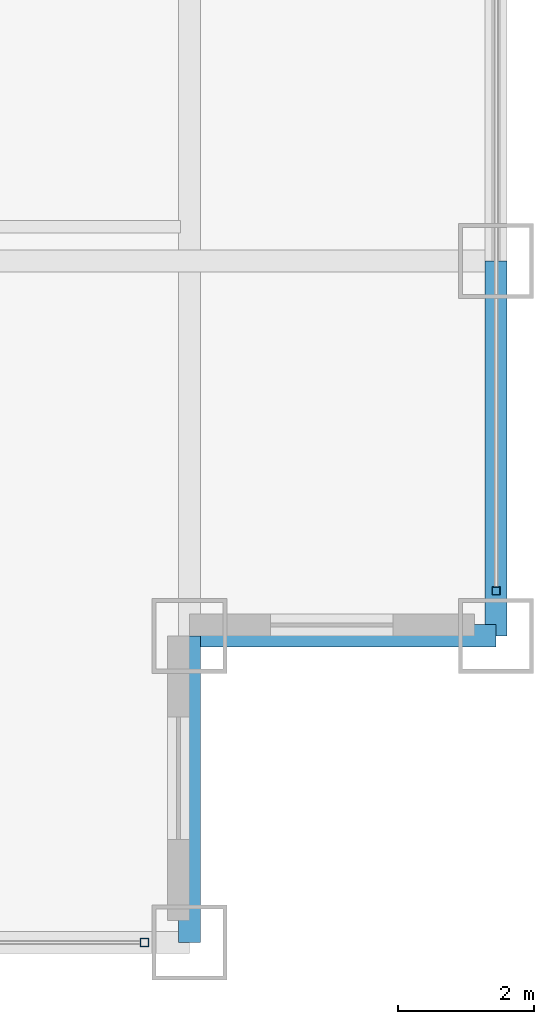
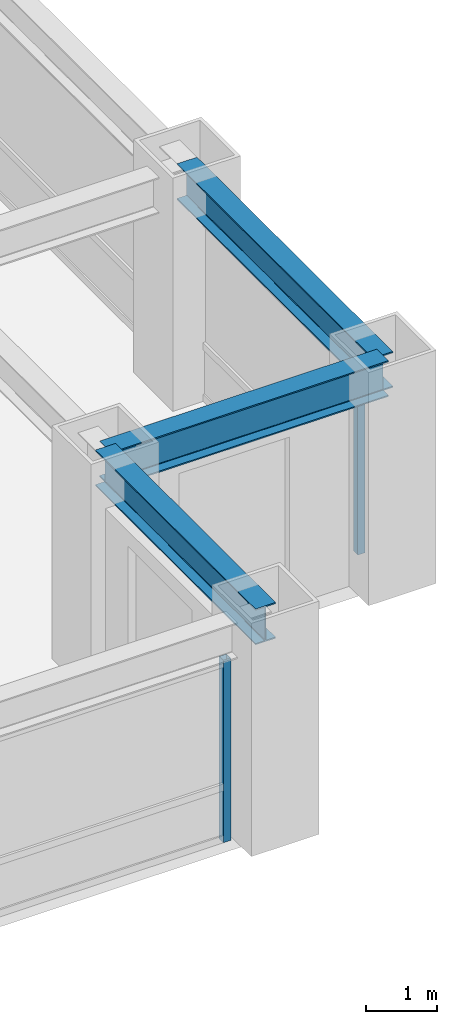
# One storey, part 8 of 24: 3 beams, 2 members, 2 elements without a shape of their own.
"""IFC4 building model written with IfcOpenShell, lengths in metres."""

from ifc_helpers import new_model, si_unit, direction, frame, origin, origin_2d, place, context, subcontext, project, spatial, hollow_rectangle, i_section, extrude, source, transform, mapped, material, material_profile, profile_set, type_object, element, aggregate, save


model = new_model("IFC4")

# Units and contexts
model_context = context("Model", 3, precision=1e-05, world=origin(), true_north=direction((0.0, 1.0)))
body_context = subcontext(model_context, "Body", "Model", "MODEL_VIEW")
ifc_project = project(units=[si_unit("LENGTHUNIT", "METRE"), si_unit("AREAUNIT", "SQUARE_METRE"), si_unit("VOLUMEUNIT", "CUBIC_METRE"), si_unit("PLANEANGLEUNIT", "RADIAN"), si_unit("MASSUNIT", "GRAM", prefix="KILO")], contexts=[model_context])

# Site, building, storey
site_placement = place(None, origin())
site = spatial("IfcSite", under=ifc_project, at=site_placement, CompositionType="ELEMENT")
building_placement = place(site_placement, origin())
building = spatial("IfcBuilding", under=site, at=building_placement, Name="Khorayat Bourse Tower", CompositionType="ELEMENT")
storey_placement = place(building_placement, frame((0.0, 0.0, 203.10009765625)))
storey = spatial("IfcBuildingStorey", under=building, at=storey_placement, Name="L47", CompositionType="ELEMENT", Elevation=203.10009765625)

# Beams
ifc_material_1 = material(Name="Steel ASTM A992 Grade 50", Category="steel")
ifc_material_profile_1 = material_profile(ifc_material_1, i_section(OverallWidth=0.324951171875, OverallDepth=0.615966796875, WebThickness=0.013916015625, FlangeThickness=0.021484375, FilletRadius=0.01611328125, at=origin_2d()), Name="W610X174")
ifc_profile_set_1 = profile_set([ifc_material_profile_1], Name="Steel ASTM A992 Grade 50")
beam_type = type_object("IfcBeamType", Name="BM-SPAN-610", PredefinedType="SPANDREL", material=ifc_profile_set_1)
shared_shape_1 = source(origin(), body_context, "Body", "SweptSolid", [
    extrude(i_section(OverallWidth=0.324951171875, OverallDepth=0.615966796875, WebThickness=0.013916015625, FlangeThickness=0.021484375, FilletRadius=0.01611328125, at=origin_2d()), origin(), (0.0, 0.0, 1.0), 5.5),
])
beam_placement = place(storey_placement, frame((30.0, -25.5, 3.471923828125), z_axis=(0.0, 1.0, 0.0), x_axis=(-1.0, 0.0, 0.0)))
element("IfcBeam", 1, at=beam_placement, inside=storey, type_object=beam_type, Name="L47 BM-SPAN-610 BM-L47-SPN-034", PredefinedType="SPANDREL", context=body_context, shape_type="MappedRepresentation", body=[
    mapped(shared_shape_1, transform((0.0, 0.0, 0.0), scale=1.0)),
])
shared_shape_2 = source(origin(), body_context, "Body", "SweptSolid", [
    extrude(i_section(OverallWidth=0.324951171875, OverallDepth=0.615966796875, WebThickness=0.013916015625, FlangeThickness=0.021484375, FilletRadius=0.01611328125, at=origin_2d()), origin(), (0.0, 0.0, 1.0), 4.5),
])
for number, where, z_axis, x_axis, name in (
    (2, (25.5, -30.0, 3.471923828125), (0.0, 1.0, 0.0), (-1.0, 0.0, 0.0), "L47 BM-SPAN-610 BM-L47-SPN-032"),
    (3, (25.5, -25.5, 3.471923828125), (1.0, 0.0, 0.0), (0.0, 1.0, 0.0), "L47 BM-SPAN-610 BM-L47-SPN-033"),
):
    element("IfcBeam", number, at=place(storey_placement, frame(where, z_axis=z_axis, x_axis=x_axis)), inside=storey, type_object=beam_type, Name=name, PredefinedType="SPANDREL", context=body_context, shape_type="MappedRepresentation", body=[
        mapped(shared_shape_2, transform((0.0, 0.0, 0.0), scale=1.0)),
    ])

# Curtain wall, member
ifc_material_2 = material(Name="Aluminium EN AW-6063 T6", Category="aluminium")
curtain_wall_type = type_object("IfcCurtainWallType", Name="CW-SYS-03", PredefinedType="NOTDEFINED", material=ifc_material_2)
curtain_wall_1_placement = place(storey_placement, origin())
curtain_wall_1 = element("IfcCurtainWall", 4, at=curtain_wall_1_placement, inside=storey, type_object=curtain_wall_type, Name="L47 Curtain Wall CW-L47-S1", PredefinedType="NOTDEFINED")
ifc_material_profile_2 = material_profile(ifc_material_2, hollow_rectangle(XDim=0.1201171875, YDim=0.1201171875, WallThickness=0.0048828125, at=origin_2d()), Name="ALU 120x120x5")
ifc_profile_set_2 = profile_set([ifc_material_profile_2], Name="Aluminium EN AW-6063 T6")
member_type = type_object("IfcMemberType", Name="CWM-VERT-120", PredefinedType="MULLION", material=ifc_profile_set_2)
shared_shape_3 = source(origin(), body_context, "Body", "SweptSolid", [
    extrude(hollow_rectangle(XDim=0.1201171875, YDim=0.1201171875, WallThickness=0.0048828125, at=origin_2d()), origin(), (0.0, 0.0, 1.0), 3.1298828125),
])
member_1_placement = place(storey_placement, frame((24.840087890625, -30.0, 0.0), z_axis=(0.0, 0.0, 1.0), x_axis=(0.0, 1.0, 0.0)))
member_1 = element("IfcMember", 5, at=member_1_placement, type_object=member_type, Name="CW-L47-S1 Vertical Mullion 3", PredefinedType="MULLION", context=body_context, shape_type="MappedRepresentation", body=[
    mapped(shared_shape_3, transform((0.0, 0.0, 0.0), scale=1.0)),
])
aggregate(curtain_wall_1, [member_1])

curtain_wall_2_placement = place(storey_placement, origin())
curtain_wall_2 = element("IfcCurtainWall", 6, at=curtain_wall_2_placement, inside=storey, type_object=curtain_wall_type, Name="L47 Curtain Wall CW-L47-E1", PredefinedType="NOTDEFINED")
member_2_placement = place(storey_placement, frame((30.0, -24.840087890625, 0.0), z_axis=(0.0, 0.0, 1.0), x_axis=(-1.0, 0.0, 0.0)))
member_2 = element("IfcMember", 7, at=member_2_placement, type_object=member_type, Name="CW-L47-E1 Vertical Mullion 1", PredefinedType="MULLION", context=body_context, shape_type="MappedRepresentation", body=[
    mapped(shared_shape_3, transform((0.0, 0.0, 0.0), scale=1.0)),
])
aggregate(curtain_wall_2, [member_2])

save(model, "model.ifc")
